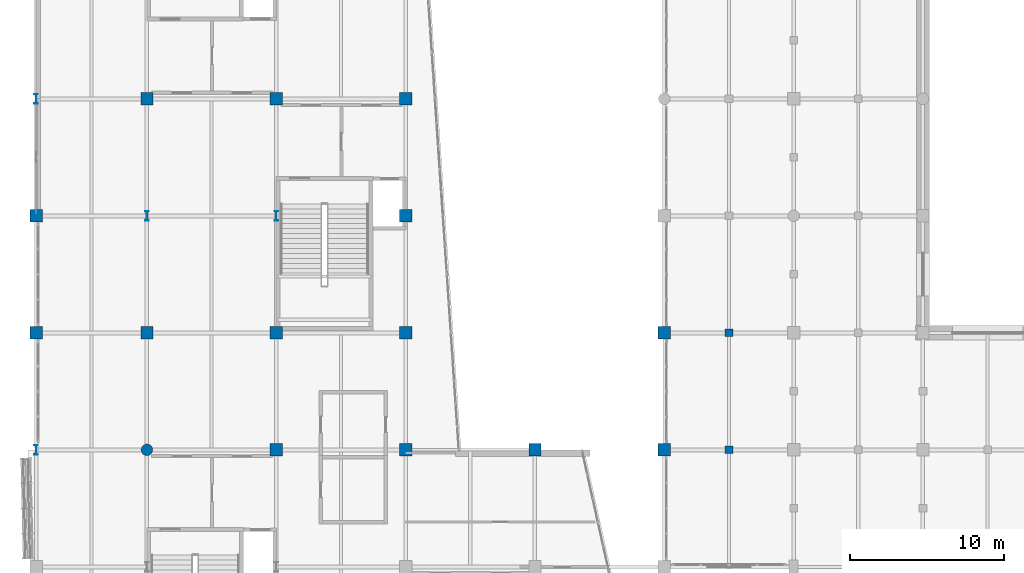
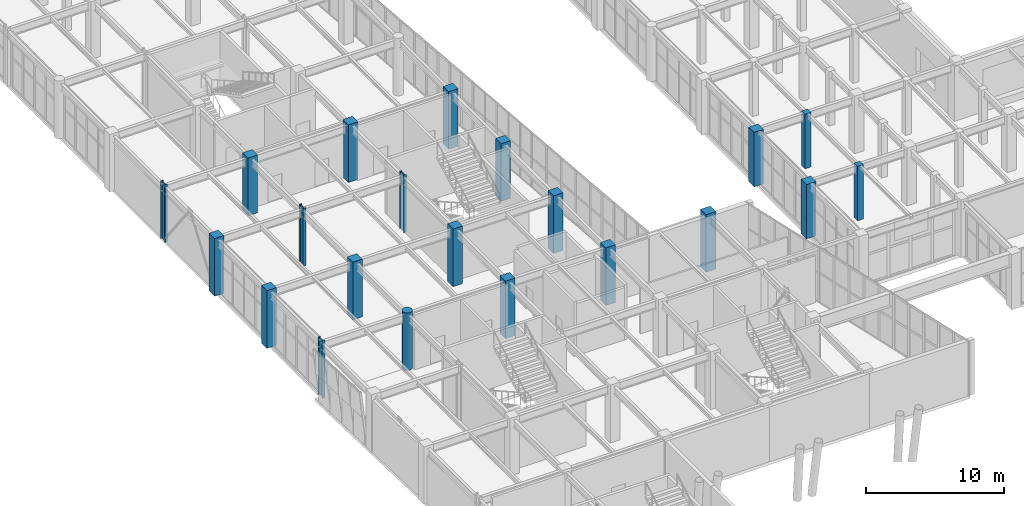
# One storey, part 3 of 128: 21 columns.
"""IFC4 building model written with IfcOpenShell, lengths in metres."""

from ifc_helpers import new_model, si_unit, direction, frame, origin, origin_2d, place, context, subcontext, project, spatial, rectangle, circle, i_section, extrude, material, material_profile, profile_set, type_object, element, save


model = new_model("IFC4")

# Units and contexts
model_context = context("Model", 3, precision=1e-05, world=origin(), true_north=direction((0.0, 1.0)))
body_context = subcontext(model_context, "Body", "Model", "MODEL_VIEW")
ifc_project = project(units=[si_unit("LENGTHUNIT", "METRE"), si_unit("AREAUNIT", "SQUARE_METRE"), si_unit("VOLUMEUNIT", "CUBIC_METRE"), si_unit("PLANEANGLEUNIT", "RADIAN"), si_unit("MASSUNIT", "GRAM", prefix="KILO")], contexts=[model_context])

# Site, building, storey
site_placement = place(None, origin())
site = spatial("IfcSite", under=ifc_project, at=site_placement, CompositionType="ELEMENT")
building_placement = place(site_placement, origin())
building = spatial("IfcBuilding", under=site, at=building_placement, Name="Xicomal Pleat Aquarium", CompositionType="ELEMENT")
storey_placement = place(building_placement, frame((0.0, 0.0, 5.39990234375)))
storey = spatial("IfcBuildingStorey", under=building, at=storey_placement, Name="L02", CompositionType="ELEMENT", Elevation=5.39990234375)

# Columns
ifc_material_1 = material(Name="Concrete C35/45", Category="concrete")
ifc_material_profile_1 = material_profile(ifc_material_1, rectangle(XDim=0.5, YDim=0.5, at=origin_2d()), Name="RC 500x500")
ifc_profile_set_1 = profile_set([ifc_material_profile_1], Name="Concrete C35/45")
column_type_1 = type_object("IfcColumnType", Name="COL-RC-500x500", PredefinedType="COLUMN", material=ifc_profile_set_1)
for number, where, z_axis, x_axis, name in (
    (1, (48.0, 38.0, 0.0), (0.0, 0.0, 1.0), (1.0, 0.0, 0.0), "L02 intermediate support column SUB-01"),
    (2, (48.0, 45.60009765625, 0.0), (0.0, 0.0, 1.0), (1.0, 0.0, 0.0), "L02 intermediate support column SUB-02"),
):
    element("IfcColumn", number, at=place(storey_placement, frame(where, z_axis=z_axis, x_axis=x_axis)), inside=storey, type_object=column_type_1, Name=name, PredefinedType="COLUMN", context=body_context, shape_type="SweptSolid", body=[
        extrude(rectangle(XDim=0.5, YDim=0.5, at=origin_2d()), origin(), (0.0, 0.0, 1.0), 4.820068359375),
    ])
ifc_material_2 = material(Name="Concrete C40/50", Category="concrete")
ifc_material_profile_2 = material_profile(ifc_material_2, rectangle(XDim=0.800048828125, YDim=0.800048828125, at=origin_2d()), Name="RC 800x800")
ifc_profile_set_2 = profile_set([ifc_material_profile_2], Name="Concrete C40/50")
column_type_2 = type_object("IfcColumnType", Name="COL-RC-800x800", PredefinedType="COLUMN", material=ifc_profile_set_2)
for number, where, z_axis, x_axis, name in (
    (3, (3.0, 45.60009765625, 0.0), (0.0, 0.0, 1.0), (1.0, 0.0, 0.0), "L02 column 01/G"),
    (4, (3.0, 53.199951171875, 0.0), (0.0, 0.0, 1.0), (1.0, 0.0, 0.0), "L02 column 01/H"),
    (5, (10.199951171875, 45.60009765625, 0.0), (0.0, 0.0, 1.0), (1.0, 0.0, 0.0), "L02 column 02/G"),
    (6, (10.199951171875, 60.800048828125, 0.0), (0.0, 0.0, 1.0), (1.0, 0.0, 0.0), "L02 column 02/J"),
    (7, (18.60009765625, 38.0, 0.0), (0.0, 0.0, 1.0), (1.0, 0.0, 0.0), "L02 column 03/F"),
    (8, (18.60009765625, 45.60009765625, 0.0), (0.0, 0.0, 1.0), (1.0, 0.0, 0.0), "L02 column 03/G"),
    (9, (18.60009765625, 60.800048828125, 0.0), (0.0, 0.0, 1.0), (1.0, 0.0, 0.0), "L02 column 03/J"),
    (10, (27.0, 38.0, 0.0), (0.0, 0.0, 1.0), (1.0, 0.0, 0.0), "L02 column 04/F"),
    (11, (27.0, 45.60009765625, 0.0), (0.0, 0.0, 1.0), (1.0, 0.0, 0.0), "L02 column 04/G"),
    (12, (27.0, 53.199951171875, 0.0), (0.0, 0.0, 1.0), (1.0, 0.0, 0.0), "L02 column 04/H"),
    (13, (27.0, 60.800048828125, 0.0), (0.0, 0.0, 1.0), (1.0, 0.0, 0.0), "L02 column 04/J"),
    (14, (35.39990234375, 38.0, 0.0), (0.0, 0.0, 1.0), (1.0, 0.0, 0.0), "L02 column 05/F"),
):
    element("IfcColumn", number, at=place(storey_placement, frame(where, z_axis=z_axis, x_axis=x_axis)), inside=storey, type_object=column_type_2, Name=name, PredefinedType="COLUMN", context=body_context, shape_type="SweptSolid", body=[
        extrude(rectangle(XDim=0.800048828125, YDim=0.800048828125, at=origin_2d()), origin(), (0.0, 0.0, 1.0), 5.10009765625),
    ])
for number, where, z_axis, x_axis, name in (
    (15, (43.800048828125, 38.0, 0.0), (0.0, 0.0, 1.0), (1.0, 0.0, 0.0), "L02 column 06/F"),
    (16, (43.800048828125, 45.60009765625, 0.0), (0.0, 0.0, 1.0), (1.0, 0.0, 0.0), "L02 column 06/G"),
):
    element("IfcColumn", number, at=place(storey_placement, frame(where, z_axis=z_axis, x_axis=x_axis)), inside=storey, type_object=column_type_2, Name=name, PredefinedType="COLUMN", context=body_context, shape_type="SweptSolid", body=[
        extrude(rectangle(XDim=0.800048828125, YDim=0.800048828125, at=origin_2d()), origin(), (0.0, 0.0, 1.0), 4.820068359375),
    ])
ifc_material_3 = material(Name="Concrete C40/50", Category="concrete")
ifc_material_profile_3 = material_profile(ifc_material_3, circle(Radius=0.375, at=origin_2d()), Name="RCC D750")
ifc_profile_set_3 = profile_set([ifc_material_profile_3], Name="Concrete C40/50")
column_type_3 = type_object("IfcColumnType", Name="COL-RCC-D750", PredefinedType="COLUMN", material=ifc_profile_set_3)
column_placement = place(storey_placement, frame((10.199951171875, 38.0, 0.0), z_axis=(0.0, 0.0, 1.0), x_axis=(1.0, 0.0, 0.0)))
element("IfcColumn", 17, at=column_placement, inside=storey, type_object=column_type_3, Name="L02 column 02/F", PredefinedType="COLUMN", context=body_context, shape_type="SweptSolid", body=[
    extrude(circle(Radius=0.375, at=origin_2d()), origin(), (0.0, 0.0, 1.0), 5.10009765625),
])
ifc_material_4 = material(Name="Structural steel A992 Gr 50", Category="steel")
ifc_material_profile_4 = material_profile(ifc_material_4, i_section(OverallWidth=0.22998046875, OverallDepth=0.616943359375, WebThickness=0.01318359375, FlangeThickness=0.022216796875, at=origin_2d()), Name="IR 610x140")
ifc_profile_set_4 = profile_set([ifc_material_profile_4], Name="Structural steel A992 Gr 50")
column_type_4 = type_object("IfcColumnType", Name="COL-STL-IR610", PredefinedType="COLUMN", material=ifc_profile_set_4)
for number, where, z_axis, x_axis, name in (
    (18, (3.0, 38.0, 0.0), (0.0, 0.0, 1.0), (1.0, 0.0, 0.0), "L02 column 01/F"),
    (19, (3.0, 60.800048828125, 0.0), (0.0, 0.0, 1.0), (1.0, 0.0, 0.0), "L02 column 01/J"),
    (20, (10.199951171875, 53.199951171875, 0.0), (0.0, 0.0, 1.0), (1.0, 0.0, 0.0), "L02 column 02/H"),
    (21, (18.60009765625, 53.199951171875, 0.0), (0.0, 0.0, 1.0), (1.0, 0.0, 0.0), "L02 column 03/H"),
):
    element("IfcColumn", number, at=place(storey_placement, frame(where, z_axis=z_axis, x_axis=x_axis)), inside=storey, type_object=column_type_4, Name=name, PredefinedType="COLUMN", context=body_context, shape_type="SweptSolid", body=[
        extrude(i_section(OverallWidth=0.22998046875, OverallDepth=0.616943359375, WebThickness=0.01318359375, FlangeThickness=0.022216796875, at=origin_2d()), origin(), (0.0, 0.0, 1.0), 5.10009765625),
    ])

save(model, "model.ifc")
